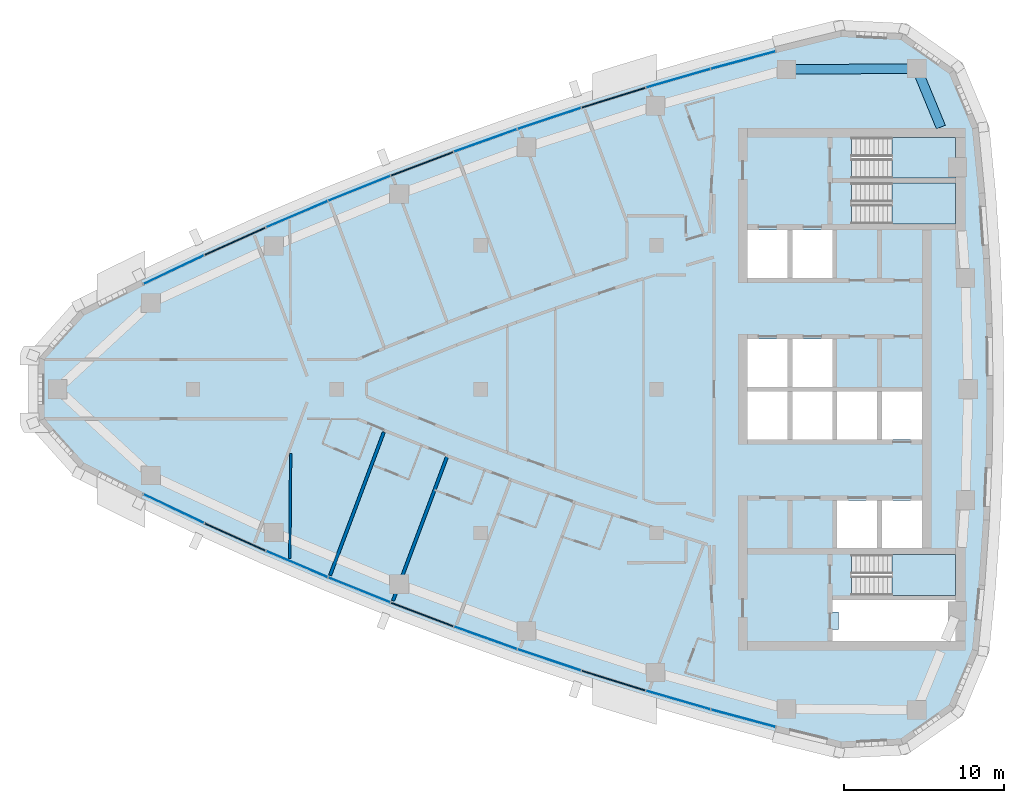
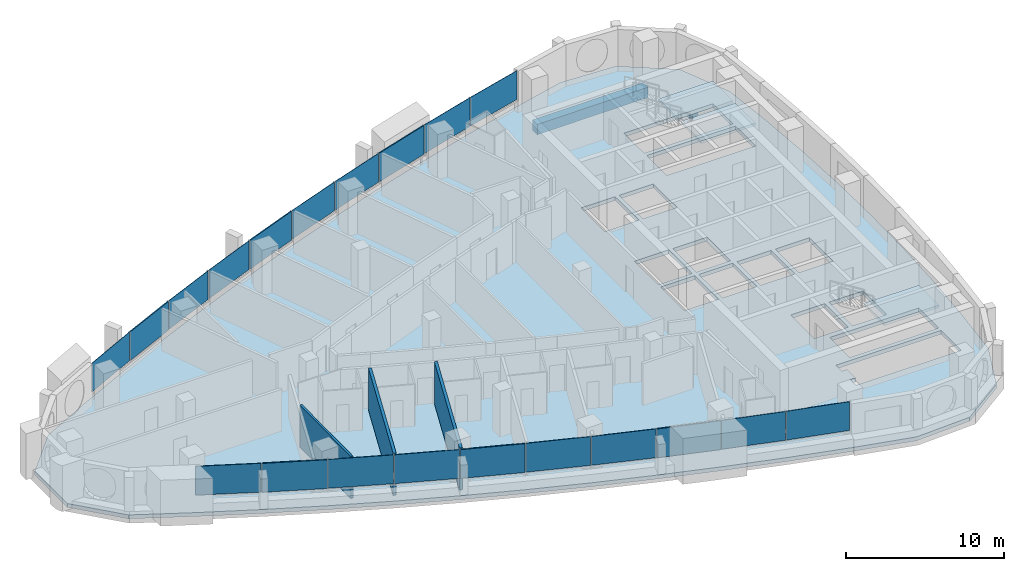
# One storey, part 7 of 16: 20 plates, 4 slabs, 3 walls, 2 beams, 1 opening, 13 elements without a shape of their own.
"""IFC4 building model written with IfcOpenShell, lengths in metres."""

import ifcopenshell
import ifcopenshell.guid

model = None  # the IFC model being written
_history = None  # IfcOwnerHistory: only IFC2X3 demands one
_inside = {}  # id of a spatial element -> (the spatial element, [elements in it])
_under = {}  # id of a project, library or spatial element -> (it, [spatial elements below it])
_declared = {}  # id of a project -> (the project, [libraries it declares])
_typed = {}  # id of a type object -> (the type object, [elements of that type])
_made_of = {}  # id of a material, layer set ... -> (it, [elements and type objects made of it])


def new_model(schema):
    """Start an empty IFC model of exactly this schema.

    Asked for "IFC4X3", IfcOpenShell would pick the latest addendum, in which some entities
    have other attributes; the version numbers below select the first issue.
    IFC2X3 requires an IfcOwnerHistory on every rooted entity: one is made here for all.
    """
    global model, _history
    if schema == "IFC4X3":
        model = ifcopenshell.file(schema_version=(4, 3, 0, 0))
    else:
        model = ifcopenshell.file(schema=schema)
    _inside.clear()
    _under.clear()
    _declared.clear()
    _typed.clear()
    _made_of.clear()
    _history = None
    if model.schema == "IFC2X3":
        org = make("IfcOrganization", Name="unknown")
        user = make(
            "IfcPersonAndOrganization",
            ThePerson=make("IfcPerson", FamilyName="unknown"),
            TheOrganization=org,
        )
        app = make(
            "IfcApplication",
            ApplicationDeveloper=org,
            Version="unknown",
            ApplicationFullName="unknown",
            ApplicationIdentifier="unknown",
        )
        _history = make(
            "IfcOwnerHistory",
            OwningUser=user,
            OwningApplication=app,
            ChangeAction="ADDED",
            CreationDate=0,
        )
    return model


def make(cls, **values):
    """One entity of the class cls with the attributes given. An attribute that is None is left unset."""
    return model.create_entity(
        cls, **{name: value for name, value in values.items() if value is not None}
    )


def rooted(cls, **values):
    """An entity with a GlobalId (a new one), such as an element, a storey or a relation."""
    return make(cls, GlobalId=ifcopenshell.guid.new(), OwnerHistory=_history, **values)


def si_unit(unit_type, name, prefix=None):
    """IfcSIUnit, for example si_unit("LENGTHUNIT", "METRE", prefix="MILLI")."""
    return make("IfcSIUnit", UnitType=unit_type, Prefix=prefix, Name=name)


def assignment(units):
    """IfcUnitAssignment: the units of a project."""
    return None if units is None else make("IfcUnitAssignment", Units=units)


def point(xyz):
    """IfcCartesianPoint."""
    return None if xyz is None else make("IfcCartesianPoint", Coordinates=xyz)


def direction(xyz):
    """IfcDirection."""
    return None if xyz is None else make("IfcDirection", DirectionRatios=xyz)


def frame(location, z_axis=None, x_axis=None):
    """IfcAxis2Placement3D, a coordinate frame: its origin and axes. An axis left out is left unset."""
    return make(
        "IfcAxis2Placement3D",
        Location=point(location),
        Axis=direction(z_axis),
        RefDirection=direction(x_axis),
    )


def frame_2d(location, x_axis=None):
    """IfcAxis2Placement2D, a coordinate frame in the plane: its origin and x axis."""
    return make(
        "IfcAxis2Placement2D", Location=point(location), RefDirection=direction(x_axis)
    )


def origin():
    """The frame at (0, 0, 0) with its axes left unset."""
    return frame((0.0, 0.0, 0.0))


def origin_2d():
    """The frame at (0, 0) in the plane with its x axis left unset."""
    return frame_2d((0.0, 0.0))


def place(relative_to, where):
    """IfcLocalPlacement: puts the frame where relative to a parent placement (None: the world)."""
    return make(
        "IfcLocalPlacement", PlacementRelTo=relative_to, RelativePlacement=where
    )


def context(
    kind, dimensions, precision=None, world=None, true_north=None, identifier=None
):
    """IfcGeometricRepresentationContext, for example the 3D "Model" context."""
    return make(
        "IfcGeometricRepresentationContext",
        ContextIdentifier=identifier,
        ContextType=kind,
        CoordinateSpaceDimension=dimensions,
        Precision=precision,
        WorldCoordinateSystem=world,
        TrueNorth=true_north,
    )


def subcontext(parent, identifier, kind, view, scale=None):
    """IfcGeometricRepresentationSubContext, for example "Body" below "Model"."""
    return make(
        "IfcGeometricRepresentationSubContext",
        ContextIdentifier=identifier,
        ContextType=kind,
        ParentContext=parent,
        TargetScale=scale,
        TargetView=view,
    )


def project(units=None, contexts=None):
    """IfcProject with its units and contexts."""
    return rooted(
        "IfcProject",
        Name="project",
        RepresentationContexts=contexts,
        UnitsInContext=assignment(units),
    )


def spatial(cls, under=None, at=None, **own):
    """A site, building, storey or space (cls), placed at a placement, below another one or the project."""
    s = rooted(cls, ObjectPlacement=at, **own)
    if under is not None:
        _under.setdefault(under.id(), (under, []))[1].append(s)
    return s


def polyline(points):
    """IfcPolyline through the points."""
    return make("IfcPolyline", Points=[point(p) for p in points])


def profile(cls, at=None, kind="AREA", **sizes):
    """A parametric profile (cls). Its sizes go by their IFC names, for example OverallWidth=200.0."""
    return make(cls, ProfileType=kind, Position=at, **sizes)


def rectangle(**sizes):
    """IfcRectangleProfileDef."""
    return profile("IfcRectangleProfileDef", **sizes)


def outline(outer, holes=None, kind="AREA"):
    """IfcArbitraryClosedProfileDef: a profile drawn as a closed curve; with holes, ...WithVoids."""
    if holes is None:
        return make("IfcArbitraryClosedProfileDef", ProfileType=kind, OuterCurve=outer)
    return make(
        "IfcArbitraryProfileDefWithVoids",
        ProfileType=kind,
        OuterCurve=outer,
        InnerCurves=holes,
    )


def extrude(swept, where, along, depth):
    """IfcExtrudedAreaSolid: the profile swept, set in the frame where, extruded along a direction by depth."""
    return make(
        "IfcExtrudedAreaSolid",
        SweptArea=swept,
        Position=where,
        ExtrudedDirection=direction(along),
        Depth=depth,
    )


def shape(context_of_items, identifier, shape_type, items):
    """IfcShapeRepresentation: the items that make up one representation, for example the "Body"."""
    return make(
        "IfcShapeRepresentation",
        ContextOfItems=context_of_items,
        RepresentationIdentifier=identifier,
        RepresentationType=shape_type,
        Items=items,
    )


def material(Name=None, Category=None):
    """IfcMaterial."""
    return make("IfcMaterial", Name=Name, Category=Category)


def layer(
    of_material, thickness, ventilated=None, Name=None, Category=None, Priority=None
):
    """IfcMaterialLayer: one layer of a wall or slab, of a material (None: an air gap)."""
    return make(
        "IfcMaterialLayer",
        Material=of_material,
        LayerThickness=thickness,
        IsVentilated=ventilated,
        Name=Name,
        Category=Category,
        Priority=Priority,
    )


def layer_set(layers, Name=None):
    """IfcMaterialLayerSet."""
    return make("IfcMaterialLayerSet", MaterialLayers=layers, LayerSetName=Name)


def material_profile(
    of_material, cross_section, Name=None, Category=None, Priority=None
):
    """IfcMaterialProfile: a cross section and its material."""
    return make(
        "IfcMaterialProfile",
        Name=Name,
        Material=of_material,
        Profile=cross_section,
        Priority=Priority,
        Category=Category,
    )


def profile_set(profiles, Name=None, composite=None):
    """IfcMaterialProfileSet."""
    return make(
        "IfcMaterialProfileSet",
        Name=Name,
        MaterialProfiles=profiles,
        CompositeProfile=composite,
    )


def made_of(thing, what):
    """Note that an element or type object is made of a material, layer set ...; save() writes the relation."""
    if what is not None:
        _made_of.setdefault(what.id(), (what, []))[1].append(thing)
    return thing


def type_object(cls, material=None, **own):
    """A type object (cls), such as IfcWallType, which elements share."""
    return made_of(rooted(cls, **own), material)


def element(
    cls,
    number,
    at=None,
    inside=None,
    cuts=None,
    type_object=None,
    material=None,
    context=None,
    identifier="Body",
    shape_type=None,
    held_by="IfcProductDefinitionShape",
    body=None,
    shapes=None,
    **own,
):
    """One element of the class cls, such as IfcWall. Its Tag is "e" and its number.

    at: its placement. inside: the storey or other place that contains it. cuts: it is an
    opening in that element (IfcRelVoidsElement). A single representation is given by context,
    identifier, shape_type and body (its items); several are given by shapes. held_by: the class
    of the entity that holds the representations. save() writes the other relations.
    """
    e = rooted(cls, Tag="e%d" % number, ObjectPlacement=at, **own)
    if body is not None:
        shapes = [shape(context, identifier, shape_type, body)]
    if shapes is not None:
        e.Representation = make(held_by, Representations=shapes)
    if inside is not None:
        _inside.setdefault(inside.id(), (inside, []))[1].append(e)
    if cuts is not None:
        rooted(
            "IfcRelVoidsElement", RelatingBuildingElement=cuts, RelatedOpeningElement=e
        )
    if type_object is not None:
        _typed.setdefault(type_object.id(), (type_object, []))[1].append(e)
    return made_of(e, material)


def aggregate(whole, parts):
    """IfcRelAggregates: a whole, such as a stair, and the parts it consists of."""
    return rooted("IfcRelAggregates", RelatingObject=whole, RelatedObjects=parts)


def save(model, path):
    """Write the relations noted so far, then the file.

    IfcRelAggregates (storeys below a building ...), IfcRelContainedInSpatialStructure (elements
    in a storey), IfcRelDefinesByType, IfcRelAssociatesMaterial and IfcRelDeclares: one each for
    every whole, place, type object, material and project.
    """
    for whole, parts in _under.values():
        aggregate(whole, parts)
    for where, things in _inside.values():
        rooted(
            "IfcRelContainedInSpatialStructure",
            RelatedElements=things,
            RelatingStructure=where,
        )
    for kind, things in _typed.values():
        rooted("IfcRelDefinesByType", RelatedObjects=things, RelatingType=kind)
    for what, things in _made_of.values():
        rooted("IfcRelAssociatesMaterial", RelatedObjects=things, RelatingMaterial=what)
    for by, libraries in _declared.values():
        rooted("IfcRelDeclares", RelatingContext=by, RelatedDefinitions=libraries)
    model.write(path)


model = new_model("IFC4")

# Units and contexts
model_context = context("Model", 3, precision=1e-05, world=origin(), true_north=direction((0.0, 1.0)))
body_context = subcontext(model_context, "Body", "Model", "MODEL_VIEW")
ifc_project = project(units=[si_unit("LENGTHUNIT", "METRE"), si_unit("AREAUNIT", "SQUARE_METRE"), si_unit("VOLUMEUNIT", "CUBIC_METRE"), si_unit("PLANEANGLEUNIT", "RADIAN"), si_unit("MASSUNIT", "GRAM", prefix="KILO")], contexts=[model_context])

# Site, building, storey
site_placement = place(None, origin())
site = spatial("IfcSite", under=ifc_project, at=site_placement, CompositionType="ELEMENT")
building_placement = place(site_placement, origin())
building = spatial("IfcBuilding", under=site, at=building_placement, Name="Ostrand Prow Hotel Tower", CompositionType="ELEMENT")
storey_placement = place(building_placement, frame((0.0, 0.0, 245.64990234375)))
storey = spatial("IfcBuildingStorey", under=building, at=storey_placement, Name="L62", CompositionType="ELEMENT", Elevation=245.64990234375)

# Beams
ifc_material_1 = material(Name="Concrete C50/60", Category="concrete")
ifc_material_profile = material_profile(ifc_material_1, rectangle(XDim=0.60009765625, YDim=0.800048828125, at=origin_2d()), Name="RC 600x800")
ifc_profile_set = profile_set([ifc_material_profile], Name="Concrete C50/60")
beam_type = type_object("IfcBeamType", Name="Edge beam 600x800 C50/60", PredefinedType="SPANDREL", material=ifc_profile_set)
beam_1_placement = place(storey_placement, frame((62.7919921875, 16.39990234375, -0.699951171875), z_axis=(-0.380777709221, 0.924666608114, 0.0), x_axis=(-0.924666608114, -0.380777709221, 0.0)))
element("IfcBeam", 1, at=beam_1_placement, inside=storey, type_object=beam_type, Name="Edge beam B5-NE", PredefinedType="SPANDREL", context=body_context, shape_type="SweptSolid", body=[
    extrude(rectangle(XDim=0.60009765625, YDim=0.800048828125, at=origin_2d()), origin(), (0.0, 0.0, 1.0), 3.96044921875),
])
beam_2_placement = place(storey_placement, frame((61.283935546875, 20.06201171875, -0.699951171875), z_axis=(-0.999970657582, -0.007660546678, 0.0), x_axis=(0.007660546678, -0.999970657582, 0.0)))
element("IfcBeam", 2, at=beam_2_placement, inside=storey, type_object=beam_type, Name="Edge beam NE-N1", PredefinedType="SPANDREL", context=body_context, shape_type="SweptSolid", body=[
    extrude(rectangle(XDim=0.60009765625, YDim=0.800048828125, at=origin_2d()), origin(), (0.0, 0.0, 1.0), 8.15869140625),
])

# Curtain wall, plate
ifc_material_2 = material(Name="Insulated glass in bronze anodised frame", Category="glass")
ifc_layer_1 = layer(ifc_material_2, 0.199951171875)
ifc_layer_set_1 = layer_set([ifc_layer_1], Name="Insulated glass in bronze anodised frame")
curtain_wall_type = type_object("IfcCurtainWallType", Name="Strip curtain wall, fritted glass over bronze spandrel", PredefinedType="NOTDEFINED", material=ifc_layer_set_1)
curtain_wall_1_placement = place(storey_placement, origin())
curtain_wall_1 = element("IfcCurtainWall", 3, at=curtain_wall_1_placement, inside=storey, type_object=curtain_wall_type, Name="CW1 run CWS1", PredefinedType="NOTDEFINED")
ifc_material_3 = material(Name="Ceramic-fritted glass", Category="glass")
ifc_layer_2 = layer(ifc_material_3, 0.031982421875)
ifc_layer_set_2 = layer_set([ifc_layer_2], Name="Ceramic-fritted glass")
plate_type_1 = type_object("IfcPlateType", Name="Dot-fritted ceramic glass unit 32 mm", PredefinedType="CURTAIN_PANEL", material=ifc_layer_set_2)
plate_1_placement = place(storey_placement, frame((14.801025390625, -7.4765625, 1.02001953125), z_axis=(0.0, 0.0, 1.0), x_axis=(0.903370475577, -0.428861030937, 0.0)))
plate_1 = element("IfcPlate", 4, at=plate_1_placement, type_object=plate_type_1, Name="CW1 PN-D panel 1.2", PredefinedType="CURTAIN_PANEL", context=body_context, shape_type="SweptSolid", body=[
    extrude(rectangle(XDim=4.163818359375, YDim=0.031982421875, at=origin_2d()), origin(), (0.0, 0.0, 1.0), 2.22998046875),
])

# Curtain wall, plates
curtain_wall_2_placement = place(storey_placement, origin())
curtain_wall_2 = element("IfcCurtainWall", 5, at=curtain_wall_2_placement, inside=storey, type_object=curtain_wall_type, Name="CW1 run CWS2", PredefinedType="NOTDEFINED")
plate_2_placement = place(storey_placement, frame((22.502685546875, -10.944580078125, 1.02001953125), z_axis=(0.0, 0.0, 1.0), x_axis=(0.919907070112, -0.392136433347, 0.0)))
plate_2 = element("IfcPlate", 6, at=plate_2_placement, type_object=plate_type_1, Name="CW1 PN-D panel 1.2", PredefinedType="CURTAIN_PANEL", context=body_context, shape_type="SweptSolid", body=[
    extrude(rectangle(XDim=4.163818359375, YDim=0.031982421875, at=origin_2d()), origin(), (0.0, 0.0, 1.0), 2.22998046875),
])
plate_3_placement = place(storey_placement, frame((26.404541015625, -12.5615234375, 1.02001953125), z_axis=(0.0, 0.0, 1.0), x_axis=(0.927616710972, -0.373533449004, 0.0)))
plate_3 = element("IfcPlate", 7, at=plate_3_placement, type_object=plate_type_1, Name="CW1 PN-D panel 2.2", PredefinedType="CURTAIN_PANEL", context=body_context, shape_type="SweptSolid", body=[
    extrude(rectangle(XDim=4.163818359375, YDim=0.031982421875, at=origin_2d()), origin(), (0.0, 0.0, 1.0), 2.22998046875),
])
aggregate(curtain_wall_2, [plate_2, plate_3])

# Curtain wall, plate
curtain_wall_3_placement = place(storey_placement, origin())
curtain_wall_3 = element("IfcCurtainWall", 8, at=curtain_wall_3_placement, inside=storey, type_object=curtain_wall_type, Name="CW1 run CWS3", PredefinedType="NOTDEFINED")
plate_4_placement = place(storey_placement, frame((34.3017578125, -15.55810546875, 1.02001953125), z_axis=(0.0, 0.0, 1.0), x_axis=(0.941905718922, -0.335877383374, 0.0)))
plate_4 = element("IfcPlate", 9, at=plate_4_placement, type_object=plate_type_1, Name="CW1 PN-D panel 2.2", PredefinedType="CURTAIN_PANEL", context=body_context, shape_type="SweptSolid", body=[
    extrude(rectangle(XDim=4.163818359375, YDim=0.031982421875, at=origin_2d()), origin(), (0.0, 0.0, 1.0), 2.22998046875),
])

curtain_wall_4_placement = place(storey_placement, origin())
curtain_wall_4 = element("IfcCurtainWall", 10, at=curtain_wall_4_placement, inside=storey, type_object=curtain_wall_type, Name="CW1 run CWS4", PredefinedType="NOTDEFINED")
plate_5_placement = place(storey_placement, frame((38.2939453125, -16.9365234375, 1.02001953125), z_axis=(0.0, 0.0, 1.0), x_axis=(0.948478606268, -0.31684118017, 0.0)))
plate_5 = element("IfcPlate", 11, at=plate_5_placement, type_object=plate_type_1, Name="CW1 PN-D panel 1.2", PredefinedType="CURTAIN_PANEL", context=body_context, shape_type="SweptSolid", body=[
    extrude(rectangle(XDim=4.163818359375, YDim=0.031982421875, at=origin_2d()), origin(), (0.0, 0.0, 1.0), 2.22998046875),
])

# Curtain wall, plates
curtain_wall_5_placement = place(storey_placement, origin())
curtain_wall_5 = element("IfcCurtainWall", 12, at=curtain_wall_5_placement, inside=storey, type_object=curtain_wall_type, Name="CW1 run CWS5", PredefinedType="NOTDEFINED")
plate_6_placement = place(storey_placement, frame((46.357666015625, -19.450927734375, 1.02001953125), z_axis=(0.0, 0.0, 1.0), x_axis=(0.960467333745, -0.27839270969, 0.0)))
plate_6 = element("IfcPlate", 13, at=plate_6_placement, type_object=plate_type_1, Name="CW1 PN-D panel 1.2", PredefinedType="CURTAIN_PANEL", context=body_context, shape_type="SweptSolid", body=[
    extrude(rectangle(XDim=4.163818359375, YDim=0.031982421875, at=origin_2d()), origin(), (0.0, 0.0, 1.0), 2.22998046875),
])
plate_7_placement = place(storey_placement, frame((50.42578125, -20.5859375, 1.02001953125), z_axis=(0.0, 0.0, 1.0), x_axis=(0.965878831034, -0.258994370132, 0.0)))
plate_7 = element("IfcPlate", 14, at=plate_7_placement, type_object=plate_type_1, Name="CW1 PN-D panel 2.2", PredefinedType="CURTAIN_PANEL", context=body_context, shape_type="SweptSolid", body=[
    extrude(rectangle(XDim=4.163818359375, YDim=0.031982421875, at=origin_2d()), origin(), (0.0, 0.0, 1.0), 2.22998046875),
])
aggregate(curtain_wall_5, [plate_6, plate_7])

curtain_wall_6_placement = place(storey_placement, origin())
curtain_wall_6 = element("IfcCurtainWall", 15, at=curtain_wall_6_placement, inside=storey, type_object=curtain_wall_type, Name="CW1 run CWN1", PredefinedType="NOTDEFINED")
plate_8_placement = place(storey_placement, frame((50.42578125, 20.5859375, 1.02001953125), z_axis=(0.0, 0.0, 1.0), x_axis=(-0.965878831034, -0.258994370132, 0.0)))
plate_8 = element("IfcPlate", 16, at=plate_8_placement, type_object=plate_type_1, Name="CW1 PN-D panel 1.2", PredefinedType="CURTAIN_PANEL", context=body_context, shape_type="SweptSolid", body=[
    extrude(rectangle(XDim=4.163818359375, YDim=0.031982421875, at=origin_2d()), origin(), (0.0, 0.0, 1.0), 2.22998046875),
])
plate_9_placement = place(storey_placement, frame((46.357666015625, 19.450927734375, 1.02001953125), z_axis=(0.0, 0.0, 1.0), x_axis=(-0.960467333745, -0.27839270969, 0.0)))
plate_9 = element("IfcPlate", 17, at=plate_9_placement, type_object=plate_type_1, Name="CW1 PN-D panel 2.2", PredefinedType="CURTAIN_PANEL", context=body_context, shape_type="SweptSolid", body=[
    extrude(rectangle(XDim=4.163818359375, YDim=0.031982421875, at=origin_2d()), origin(), (0.0, 0.0, 1.0), 2.22998046875),
])
aggregate(curtain_wall_6, [plate_8, plate_9])

# Curtain wall, plate
curtain_wall_7_placement = place(storey_placement, origin())
curtain_wall_7 = element("IfcCurtainWall", 18, at=curtain_wall_7_placement, inside=storey, type_object=curtain_wall_type, Name="CW1 run CWN2", PredefinedType="NOTDEFINED")
plate_10_placement = place(storey_placement, frame((38.2939453125, 16.9365234375, 1.02001953125), z_axis=(0.0, 0.0, 1.0), x_axis=(-0.948478606268, -0.31684118017, 0.0)))
plate_10 = element("IfcPlate", 19, at=plate_10_placement, type_object=plate_type_1, Name="CW1 PN-D panel 2.2", PredefinedType="CURTAIN_PANEL", context=body_context, shape_type="SweptSolid", body=[
    extrude(rectangle(XDim=4.163818359375, YDim=0.031982421875, at=origin_2d()), origin(), (0.0, 0.0, 1.0), 2.22998046875),
])

curtain_wall_8_placement = place(storey_placement, origin())
curtain_wall_8 = element("IfcCurtainWall", 20, at=curtain_wall_8_placement, inside=storey, type_object=curtain_wall_type, Name="CW1 run CWN3", PredefinedType="NOTDEFINED")
plate_11_placement = place(storey_placement, frame((34.3017578125, 15.55810546875, 1.02001953125), z_axis=(0.0, 0.0, 1.0), x_axis=(-0.941905718922, -0.335877383374, 0.0)))
plate_11 = element("IfcPlate", 21, at=plate_11_placement, type_object=plate_type_1, Name="CW1 PN-D panel 1.2", PredefinedType="CURTAIN_PANEL", context=body_context, shape_type="SweptSolid", body=[
    extrude(rectangle(XDim=4.163818359375, YDim=0.031982421875, at=origin_2d()), origin(), (0.0, 0.0, 1.0), 2.22998046875),
])

# Curtain wall, plates
curtain_wall_9_placement = place(storey_placement, origin())
curtain_wall_9 = element("IfcCurtainWall", 22, at=curtain_wall_9_placement, inside=storey, type_object=curtain_wall_type, Name="CW1 run CWN4", PredefinedType="NOTDEFINED")
plate_12_placement = place(storey_placement, frame((26.404541015625, 12.5615234375, 1.02001953125), z_axis=(0.0, 0.0, 1.0), x_axis=(-0.927616710972, -0.373533449004, 0.0)))
plate_12 = element("IfcPlate", 23, at=plate_12_placement, type_object=plate_type_1, Name="CW1 PN-D panel 1.2", PredefinedType="CURTAIN_PANEL", context=body_context, shape_type="SweptSolid", body=[
    extrude(rectangle(XDim=4.163818359375, YDim=0.031982421875, at=origin_2d()), origin(), (0.0, 0.0, 1.0), 2.22998046875),
])
plate_13_placement = place(storey_placement, frame((22.502685546875, 10.944580078125, 1.02001953125), z_axis=(0.0, 0.0, 1.0), x_axis=(-0.919907070112, -0.392136433347, 0.0)))
plate_13 = element("IfcPlate", 24, at=plate_13_placement, type_object=plate_type_1, Name="CW1 PN-D panel 2.2", PredefinedType="CURTAIN_PANEL", context=body_context, shape_type="SweptSolid", body=[
    extrude(rectangle(XDim=4.163818359375, YDim=0.031982421875, at=origin_2d()), origin(), (0.0, 0.0, 1.0), 2.22998046875),
])
aggregate(curtain_wall_9, [plate_12, plate_13])

# Curtain wall, plate
curtain_wall_10_placement = place(storey_placement, origin())
curtain_wall_10 = element("IfcCurtainWall", 25, at=curtain_wall_10_placement, inside=storey, type_object=curtain_wall_type, Name="CW1 run CWN5", PredefinedType="NOTDEFINED")
plate_14_placement = place(storey_placement, frame((14.801025390625, 7.4765625, 1.02001953125), z_axis=(0.0, 0.0, 1.0), x_axis=(-0.903370475577, -0.428861030937, 0.0)))
plate_14 = element("IfcPlate", 26, at=plate_14_placement, type_object=plate_type_1, Name="CW1 PN-D panel 2.2", PredefinedType="CURTAIN_PANEL", context=body_context, shape_type="SweptSolid", body=[
    extrude(rectangle(XDim=4.163818359375, YDim=0.031982421875, at=origin_2d()), origin(), (0.0, 0.0, 1.0), 2.22998046875),
])

# Plate
ifc_material_4 = material(Name="Fritted glass in bronze vent frame", Category="glass")
ifc_layer_3 = layer(ifc_material_4, 0.080078125)
ifc_layer_set_3 = layer_set([ifc_layer_3], Name="Fritted glass in bronze vent frame")
plate_type_2 = type_object("IfcPlateType", Name="Operable vent panel 80 mm", PredefinedType="CURTAIN_PANEL", material=ifc_layer_set_3)
plate_15_placement = place(storey_placement, frame((18.634521484375, -9.249267578125, 1.02001953125), z_axis=(0.0, 0.0, 1.0), x_axis=(0.911823681514, -0.41058199404, 0.0)))
plate_15 = element("IfcPlate", 27, at=plate_15_placement, type_object=plate_type_2, Name="CW1 PN-O2 panel 2.2", PredefinedType="CURTAIN_PANEL", context=body_context, shape_type="SweptSolid", body=[
    extrude(rectangle(XDim=4.163818359375, YDim=0.080078125, at=origin_2d()), origin(), (0.0, 0.0, 1.0), 2.22998046875),
])

aggregate(curtain_wall_1, [plate_1, plate_15])

plate_16_placement = place(storey_placement, frame((30.337890625, -14.099609375, 1.02001953125), z_axis=(0.0, 0.0, 1.0), x_axis=(0.934950813567, -0.354777361469, 0.0)))
plate_16 = element("IfcPlate", 28, at=plate_16_placement, type_object=plate_type_2, Name="CW1 PN-O2 panel 1.2", PredefinedType="CURTAIN_PANEL", context=body_context, shape_type="SweptSolid", body=[
    extrude(rectangle(XDim=4.163818359375, YDim=0.080078125, at=origin_2d()), origin(), (0.0, 0.0, 1.0), 2.22998046875),
])

aggregate(curtain_wall_3, [plate_16, plate_4])

plate_17_placement = place(storey_placement, frame((42.31298828125, -18.234375, 1.02001953125), z_axis=(0.0, 0.0, 1.0), x_axis=(0.95466629023, -0.297678138765, 0.0)))
plate_17 = element("IfcPlate", 29, at=plate_17_placement, type_object=plate_type_2, Name="CW1 PN-O2 panel 2.2", PredefinedType="CURTAIN_PANEL", context=body_context, shape_type="SweptSolid", body=[
    extrude(rectangle(XDim=4.163818359375, YDim=0.080078125, at=origin_2d()), origin(), (0.0, 0.0, 1.0), 2.22998046875),
])

aggregate(curtain_wall_4, [plate_5, plate_17])

plate_18_placement = place(storey_placement, frame((42.31298828125, 18.234375, 1.02001953125), z_axis=(0.0, 0.0, 1.0), x_axis=(-0.95466629023, -0.297678138765, 0.0)))
plate_18 = element("IfcPlate", 30, at=plate_18_placement, type_object=plate_type_2, Name="CW1 PN-O2 panel 1.2", PredefinedType="CURTAIN_PANEL", context=body_context, shape_type="SweptSolid", body=[
    extrude(rectangle(XDim=4.163818359375, YDim=0.080078125, at=origin_2d()), origin(), (0.0, 0.0, 1.0), 2.22998046875),
])

aggregate(curtain_wall_7, [plate_18, plate_10])

plate_19_placement = place(storey_placement, frame((30.337890625, 14.099609375, 1.02001953125), z_axis=(0.0, 0.0, 1.0), x_axis=(-0.934950813567, -0.354777361469, 0.0)))
plate_19 = element("IfcPlate", 31, at=plate_19_placement, type_object=plate_type_2, Name="CW1 PN-O2 panel 2.2", PredefinedType="CURTAIN_PANEL", context=body_context, shape_type="SweptSolid", body=[
    extrude(rectangle(XDim=4.163818359375, YDim=0.080078125, at=origin_2d()), origin(), (0.0, 0.0, 1.0), 2.22998046875),
])

aggregate(curtain_wall_8, [plate_11, plate_19])

plate_20_placement = place(storey_placement, frame((18.634521484375, 9.249267578125, 1.02001953125), z_axis=(0.0, 0.0, 1.0), x_axis=(-0.911823681514, -0.41058199404, 0.0)))
plate_20 = element("IfcPlate", 32, at=plate_20_placement, type_object=plate_type_2, Name="CW1 PN-O2 panel 1.2", PredefinedType="CURTAIN_PANEL", context=body_context, shape_type="SweptSolid", body=[
    extrude(rectangle(XDim=4.163818359375, YDim=0.080078125, at=origin_2d()), origin(), (0.0, 0.0, 1.0), 2.22998046875),
])

aggregate(curtain_wall_10, [plate_20, plate_14])

# Slab, opening
ifc_material_5 = material(Name="Concrete C40/50", Category="concrete")
ifc_layer_4 = layer(ifc_material_5, 0.300048828125)
ifc_layer_set_4 = layer_set([ifc_layer_4], Name="Concrete C40/50")
slab_type_1 = type_object("IfcSlabType", Name="PT flat plate 300 C40/50", PredefinedType="FLOOR", material=ifc_layer_set_4)
slab_1_placement = place(storey_placement, frame((0.0, 0.0, -0.2998046875)))
slab_1 = element("IfcSlab", 33, at=slab_1_placement, inside=storey, type_object=slab_type_1, Name="Floor slab L62-1", PredefinedType="FLOOR", context=body_context, shape_type="SweptSolid", body=[
    extrude(outline(polyline([(8.85205078125, 5.097412109375), (12.679443359375, 7.009765625), (16.50390625, 8.825439453125), (20.364013671875, 10.563720703125), (24.258544921875, 12.223876953125), (28.185791015625, 13.80517578125), (32.143798828125, 15.30712890625), (36.131591796875, 16.72900390625), (40.14697265625, 18.0703125), (44.188720703125, 19.330810546875), (48.2548828125, 20.50927734375), (52.343994140625, 21.605712890625), (56.4873046875, 22.627685546875), (60.48193359375, 22.4287109375), (63.7822265625, 20.107177734375), (65.320068359375, 16.414794921875), (65.728515625, 12.29736328125), (66.018310546875, 8.20361328125), (66.19189453125, 4.103515625), (66.25, 0.0), (66.19189453125, -4.103515625), (66.018310546875, -8.20361328125), (65.728515625, -12.29736328125), (65.320068359375, -16.414794921875), (63.7822265625, -20.107177734375), (60.48193359375, -22.4287109375), (56.4873046875, -22.627685546875), (52.343994140625, -21.605712890625), (48.2548828125, -20.50927734375), (44.188720703125, -19.330810546875), (40.14697265625, -18.0703125), (36.131591796875, -16.72900390625), (32.143798828125, -15.30712890625), (28.185791015625, -13.80517578125), (24.258544921875, -12.223876953125), (20.364013671875, -10.563720703125), (16.50390625, -8.825439453125), (12.679443359375, -7.009765625), (8.85205078125, -5.097412109375), (6.127685546875, -2.06298828125), (6.127685546875, 2.06298828125), (8.85205078125, 5.097412109375)]), holes=[polyline([(50.699951171875, 6.949951171875), (53.199951171875, 6.949951171875), (53.199951171875, 9.949951171875), (50.699951171875, 9.949951171875), (50.699951171875, 6.949951171875)]), polyline([(53.5, 6.949951171875), (56.0, 6.949951171875), (56.0, 9.949951171875), (53.5, 9.949951171875), (53.5, 6.949951171875)]), polyline([(50.699951171875, 0.14990234375), (53.199951171875, 0.14990234375), (53.199951171875, 3.14990234375), (50.699951171875, 3.14990234375), (50.699951171875, 0.14990234375)]), polyline([(53.5, 0.14990234375), (56.0, 0.14990234375), (56.0, 3.14990234375), (53.5, 3.14990234375), (53.5, 0.14990234375)]), polyline([(50.699951171875, -3.14990234375), (53.199951171875, -3.14990234375), (53.199951171875, -0.14990234375), (50.699951171875, -0.14990234375), (50.699951171875, -3.14990234375)]), polyline([(53.5, -3.14990234375), (56.0, -3.14990234375), (56.0, -0.14990234375), (53.5, -0.14990234375), (53.5, -3.14990234375)]), polyline([(56.300048828125, -3.14990234375), (58.800048828125, -3.14990234375), (58.800048828125, -0.14990234375), (56.300048828125, -0.14990234375), (56.300048828125, -3.14990234375)]), polyline([(59.10009765625, -3.14990234375), (61.60009765625, -3.14990234375), (61.60009765625, -0.14990234375), (59.10009765625, -0.14990234375), (59.10009765625, -3.14990234375)]), polyline([(56.300048828125, -9.949951171875), (58.800048828125, -9.949951171875), (58.800048828125, -6.949951171875), (56.300048828125, -6.949951171875), (56.300048828125, -9.949951171875)]), polyline([(59.10009765625, -9.949951171875), (61.60009765625, -9.949951171875), (61.60009765625, -6.949951171875), (59.10009765625, -6.949951171875), (59.10009765625, -9.949951171875)]), polyline([(57.200927734375, 10.35107421875), (57.200927734375, 12.89892578125), (63.718994140625, 12.89892578125), (63.718994140625, 10.35107421875), (57.200927734375, 10.35107421875)]), polyline([(57.200927734375, 13.200927734375), (57.200927734375, 15.7490234375), (63.718994140625, 15.7490234375), (63.718994140625, 13.200927734375), (57.200927734375, 13.200927734375)]), polyline([(57.200927734375, -12.89892578125), (57.200927734375, -10.35107421875), (63.718994140625, -10.35107421875), (63.718994140625, -12.89892578125), (57.200927734375, -12.89892578125)]), polyline([(56.0, -13.949951171875), (56.0, -13.199951171875), (63.719970703125, -13.199951171875), (63.719970703125, -15.75), (56.0, -15.75), (56.0, -15.050048828125), (56.39990234375, -15.050048828125), (56.39990234375, -13.949951171875), (56.0, -13.949951171875)])]), origin(), (0.0, 0.0, 1.0), 0.2998046875),
])
opening_placement = place(slab_1_placement, origin())
element("IfcOpeningElement", 34, at=opening_placement, cuts=slab_1, Name="Shaft opening 1", PredefinedType="OPENING", context=body_context, shape_type="SweptSolid", body=[
    extrude(outline(polyline([(56.0, -13.949951171875), (56.0, -13.199951171875), (63.719970703125, -13.199951171875), (63.719970703125, -15.75), (56.0, -15.75), (56.0, -15.050048828125), (56.39990234375, -15.050048828125), (56.39990234375, -13.949951171875), (56.0, -13.949951171875)])), origin(), (0.0, 0.0, 1.0), 0.2998046875),
])

# Stair, slab
ifc_material_6 = material(Name="Concrete C40/50", Category="concrete")
stair_type = type_object("IfcStairType", Name="Exit stair 1200 upper zone", PredefinedType="HALF_TURN_STAIR", material=ifc_material_6)
stair_1_placement = place(storey_placement, origin())
stair_1 = element("IfcStair", 35, at=stair_1_placement, inside=storey, type_object=stair_type, Name="L62 ST1C", PredefinedType="HALF_TURN_STAIR")
ifc_material_7 = material(Name="Concrete C40/50", Category="concrete")
ifc_layer_5 = layer(ifc_material_7, 0.199951171875)
ifc_layer_set_5 = layer_set([ifc_layer_5], Name="Concrete C40/50")
slab_type_2 = type_object("IfcSlabType", Name="Stair landing 200 concrete", PredefinedType="LANDING", material=ifc_layer_set_5)
slab_2_placement = place(storey_placement, frame((0.0, 0.0, 1.5751953125)))
slab_2 = element("IfcSlab", 36, at=slab_2_placement, type_object=slab_type_2, Name="ST1C landing 1", PredefinedType="LANDING", context=body_context, shape_type="SweptSolid", body=[
    extrude(outline(polyline([(59.719970703125, 10.35009765625), (63.719970703125, 10.35009765625), (63.719970703125, 12.89990234375), (59.719970703125, 12.89990234375), (59.719970703125, 10.35009765625)])), origin(), (0.0, 0.0, 1.0), 0.199951171875),
])
aggregate(stair_1, [slab_2])

stair_2_placement = place(storey_placement, origin())
stair_2 = element("IfcStair", 37, at=stair_2_placement, inside=storey, type_object=stair_type, Name="L62 ST3C", PredefinedType="HALF_TURN_STAIR")
slab_3_placement = place(storey_placement, frame((0.0, 0.0, 1.5751953125)))
slab_3 = element("IfcSlab", 38, at=slab_3_placement, type_object=slab_type_2, Name="ST3C landing 1", PredefinedType="LANDING", context=body_context, shape_type="SweptSolid", body=[
    extrude(outline(polyline([(59.719970703125, 13.199951171875), (63.719970703125, 13.199951171875), (63.719970703125, 15.75), (59.719970703125, 15.75), (59.719970703125, 13.199951171875)])), origin(), (0.0, 0.0, 1.0), 0.199951171875),
])
aggregate(stair_2, [slab_3])

stair_3_placement = place(storey_placement, origin())
stair_3 = element("IfcStair", 39, at=stair_3_placement, inside=storey, type_object=stair_type, Name="L62 ST2C", PredefinedType="HALF_TURN_STAIR")
slab_4_placement = place(storey_placement, frame((0.0, 0.0, 1.5751953125)))
slab_4 = element("IfcSlab", 40, at=slab_4_placement, type_object=slab_type_2, Name="ST2C landing 1", PredefinedType="LANDING", context=body_context, shape_type="SweptSolid", body=[
    extrude(outline(polyline([(59.719970703125, -12.89990234375), (63.719970703125, -12.89990234375), (63.719970703125, -10.35009765625), (59.719970703125, -10.35009765625), (59.719970703125, -12.89990234375)])), origin(), (0.0, 0.0, 1.0), 0.199951171875),
])
aggregate(stair_3, [slab_4])

# Walls
ifc_material_8 = material(Name="Plasterboard partition")
ifc_layer_6 = layer(ifc_material_8, 0.14990234375)
ifc_layer_set_6 = layer_set([ifc_layer_6], Name="Plasterboard partition")
wall_type_1 = type_object("IfcWallType", Name="Partition 150 room partition", PredefinedType="PARTITIONING", material=ifc_layer_set_6)
wall_1_placement = place(storey_placement, frame((22.1123046875, -4.022705078125, 0.0), z_axis=(0.0, 0.0, 1.0), x_axis=(-0.008379594055, -0.999964890585, 0.0)))
element("IfcWall", 41, at=wall_1_placement, inside=storey, type_object=wall_type_1, Name="ROOM PARTITION", PredefinedType="PARTITIONING", context=body_context, shape_type="SweptSolid", body=[
    extrude(rectangle(XDim=6.555419921875, YDim=0.14990234375, at=frame_2d((3.27783203125, 0.0))), origin(), (0.0, 0.0, 1.0), 3.25),
])
ifc_material_9 = material(Name="Plasterboard partition")
ifc_layer_7 = layer(ifc_material_9, 0.199951171875)
ifc_layer_set_7 = layer_set([ifc_layer_7], Name="Plasterboard partition")
wall_type_2 = type_object("IfcWallType", Name="Partition 200 key partition", PredefinedType="PARTITIONING", material=ifc_layer_set_7)
wall_2_placement = place(storey_placement, frame((24.577880859375, -11.651611328125, 0.0), z_axis=(0.0, 0.0, 1.0), x_axis=(0.351140219871, 0.936322885542, 0.0)))
element("IfcWall", 42, at=wall_2_placement, inside=storey, type_object=wall_type_2, Name="KEY PARTITION", PredefinedType="PARTITIONING", context=body_context, shape_type="SweptSolid", body=[
    extrude(rectangle(XDim=9.567626953125, YDim=0.199951171875, at=frame_2d((4.78369140625, 0.0))), origin(), (0.0, 0.0, 1.0), 3.25),
])
wall_3_placement = place(storey_placement, frame((28.51416015625, -13.234619140625, 0.0), z_axis=(0.0, 0.0, 1.0), x_axis=(0.351126199585, 0.936328143316, 0.0)))
element("IfcWall", 43, at=wall_3_placement, inside=storey, type_object=wall_type_2, Name="KEY PARTITION", PredefinedType="PARTITIONING", context=body_context, shape_type="SweptSolid", body=[
    extrude(rectangle(XDim=9.700927734375, YDim=0.199951171875, at=frame_2d((4.8505859375, 0.0))), origin(), (0.0, 0.0, 1.0), 3.25),
])

save(model, "model.ifc")
